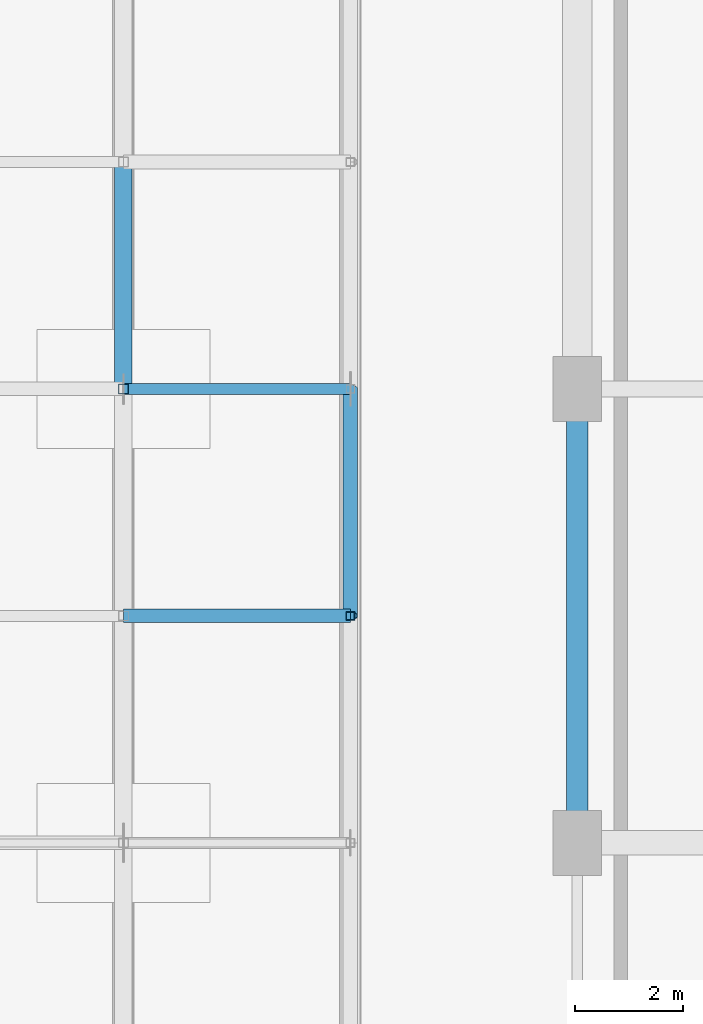
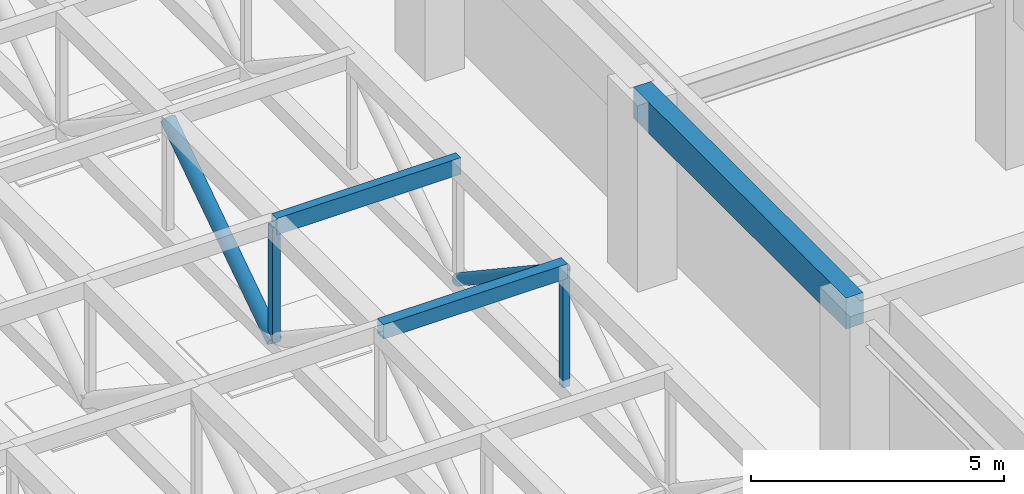
# One storey, part 20 of 47: 6 members, 1 beam.
"""IFC4 building model written with IfcOpenShell, lengths in metres."""

import ifcopenshell
import ifcopenshell.guid

model = None  # the IFC model being written
_history = None  # IfcOwnerHistory: only IFC2X3 demands one
_inside = {}  # id of a spatial element -> (the spatial element, [elements in it])
_under = {}  # id of a project, library or spatial element -> (it, [spatial elements below it])
_declared = {}  # id of a project -> (the project, [libraries it declares])
_typed = {}  # id of a type object -> (the type object, [elements of that type])
_made_of = {}  # id of a material, layer set ... -> (it, [elements and type objects made of it])


def new_model(schema):
    """Start an empty IFC model of exactly this schema.

    Asked for "IFC4X3", IfcOpenShell would pick the latest addendum, in which some entities
    have other attributes; the version numbers below select the first issue.
    IFC2X3 requires an IfcOwnerHistory on every rooted entity: one is made here for all.
    """
    global model, _history
    if schema == "IFC4X3":
        model = ifcopenshell.file(schema_version=(4, 3, 0, 0))
    else:
        model = ifcopenshell.file(schema=schema)
    _inside.clear()
    _under.clear()
    _declared.clear()
    _typed.clear()
    _made_of.clear()
    _history = None
    if model.schema == "IFC2X3":
        org = make("IfcOrganization", Name="unknown")
        user = make(
            "IfcPersonAndOrganization",
            ThePerson=make("IfcPerson", FamilyName="unknown"),
            TheOrganization=org,
        )
        app = make(
            "IfcApplication",
            ApplicationDeveloper=org,
            Version="unknown",
            ApplicationFullName="unknown",
            ApplicationIdentifier="unknown",
        )
        _history = make(
            "IfcOwnerHistory",
            OwningUser=user,
            OwningApplication=app,
            ChangeAction="ADDED",
            CreationDate=0,
        )
    return model


def make(cls, **values):
    """One entity of the class cls with the attributes given. An attribute that is None is left unset."""
    return model.create_entity(
        cls, **{name: value for name, value in values.items() if value is not None}
    )


def rooted(cls, **values):
    """An entity with a GlobalId (a new one), such as an element, a storey or a relation."""
    return make(cls, GlobalId=ifcopenshell.guid.new(), OwnerHistory=_history, **values)


def si_unit(unit_type, name, prefix=None):
    """IfcSIUnit, for example si_unit("LENGTHUNIT", "METRE", prefix="MILLI")."""
    return make("IfcSIUnit", UnitType=unit_type, Prefix=prefix, Name=name)


def assignment(units):
    """IfcUnitAssignment: the units of a project."""
    return None if units is None else make("IfcUnitAssignment", Units=units)


def point(xyz):
    """IfcCartesianPoint."""
    return None if xyz is None else make("IfcCartesianPoint", Coordinates=xyz)


def direction(xyz):
    """IfcDirection."""
    return None if xyz is None else make("IfcDirection", DirectionRatios=xyz)


def frame(location, z_axis=None, x_axis=None):
    """IfcAxis2Placement3D, a coordinate frame: its origin and axes. An axis left out is left unset."""
    return make(
        "IfcAxis2Placement3D",
        Location=point(location),
        Axis=direction(z_axis),
        RefDirection=direction(x_axis),
    )


def frame_2d(location, x_axis=None):
    """IfcAxis2Placement2D, a coordinate frame in the plane: its origin and x axis."""
    return make(
        "IfcAxis2Placement2D", Location=point(location), RefDirection=direction(x_axis)
    )


def origin():
    """The frame at (0, 0, 0) with its axes left unset."""
    return frame((0.0, 0.0, 0.0))


def origin_2d():
    """The frame at (0, 0) in the plane with its x axis left unset."""
    return frame_2d((0.0, 0.0))


def place(relative_to, where):
    """IfcLocalPlacement: puts the frame where relative to a parent placement (None: the world)."""
    return make(
        "IfcLocalPlacement", PlacementRelTo=relative_to, RelativePlacement=where
    )


def context(
    kind, dimensions, precision=None, world=None, true_north=None, identifier=None
):
    """IfcGeometricRepresentationContext, for example the 3D "Model" context."""
    return make(
        "IfcGeometricRepresentationContext",
        ContextIdentifier=identifier,
        ContextType=kind,
        CoordinateSpaceDimension=dimensions,
        Precision=precision,
        WorldCoordinateSystem=world,
        TrueNorth=true_north,
    )


def subcontext(parent, identifier, kind, view, scale=None):
    """IfcGeometricRepresentationSubContext, for example "Body" below "Model"."""
    return make(
        "IfcGeometricRepresentationSubContext",
        ContextIdentifier=identifier,
        ContextType=kind,
        ParentContext=parent,
        TargetScale=scale,
        TargetView=view,
    )


def project(units=None, contexts=None):
    """IfcProject with its units and contexts."""
    return rooted(
        "IfcProject",
        Name="project",
        RepresentationContexts=contexts,
        UnitsInContext=assignment(units),
    )


def spatial(cls, under=None, at=None, **own):
    """A site, building, storey or space (cls), placed at a placement, below another one or the project."""
    s = rooted(cls, ObjectPlacement=at, **own)
    if under is not None:
        _under.setdefault(under.id(), (under, []))[1].append(s)
    return s


def profile(cls, at=None, kind="AREA", **sizes):
    """A parametric profile (cls). Its sizes go by their IFC names, for example OverallWidth=200.0."""
    return make(cls, ProfileType=kind, Position=at, **sizes)


def rectangle(**sizes):
    """IfcRectangleProfileDef."""
    return profile("IfcRectangleProfileDef", **sizes)


def hollow_rectangle(**sizes):
    """IfcRectangleHollowProfileDef."""
    return profile("IfcRectangleHollowProfileDef", **sizes)


def hollow_circle(**sizes):
    """IfcCircleHollowProfileDef."""
    return profile("IfcCircleHollowProfileDef", **sizes)


def extrude(swept, where, along, depth):
    """IfcExtrudedAreaSolid: the profile swept, set in the frame where, extruded along a direction by depth."""
    return make(
        "IfcExtrudedAreaSolid",
        SweptArea=swept,
        Position=where,
        ExtrudedDirection=direction(along),
        Depth=depth,
    )


def shape(context_of_items, identifier, shape_type, items):
    """IfcShapeRepresentation: the items that make up one representation, for example the "Body"."""
    return make(
        "IfcShapeRepresentation",
        ContextOfItems=context_of_items,
        RepresentationIdentifier=identifier,
        RepresentationType=shape_type,
        Items=items,
    )


def material(Name=None, Category=None):
    """IfcMaterial."""
    return make("IfcMaterial", Name=Name, Category=Category)


def material_profile(
    of_material, cross_section, Name=None, Category=None, Priority=None
):
    """IfcMaterialProfile: a cross section and its material."""
    return make(
        "IfcMaterialProfile",
        Name=Name,
        Material=of_material,
        Profile=cross_section,
        Priority=Priority,
        Category=Category,
    )


def profile_set(profiles, Name=None, composite=None):
    """IfcMaterialProfileSet."""
    return make(
        "IfcMaterialProfileSet",
        Name=Name,
        MaterialProfiles=profiles,
        CompositeProfile=composite,
    )


def made_of(thing, what):
    """Note that an element or type object is made of a material, layer set ...; save() writes the relation."""
    if what is not None:
        _made_of.setdefault(what.id(), (what, []))[1].append(thing)
    return thing


def type_object(cls, material=None, **own):
    """A type object (cls), such as IfcWallType, which elements share."""
    return made_of(rooted(cls, **own), material)


def element(
    cls,
    number,
    at=None,
    inside=None,
    cuts=None,
    type_object=None,
    material=None,
    context=None,
    identifier="Body",
    shape_type=None,
    held_by="IfcProductDefinitionShape",
    body=None,
    shapes=None,
    **own,
):
    """One element of the class cls, such as IfcWall. Its Tag is "e" and its number.

    at: its placement. inside: the storey or other place that contains it. cuts: it is an
    opening in that element (IfcRelVoidsElement). A single representation is given by context,
    identifier, shape_type and body (its items); several are given by shapes. held_by: the class
    of the entity that holds the representations. save() writes the other relations.
    """
    e = rooted(cls, Tag="e%d" % number, ObjectPlacement=at, **own)
    if body is not None:
        shapes = [shape(context, identifier, shape_type, body)]
    if shapes is not None:
        e.Representation = make(held_by, Representations=shapes)
    if inside is not None:
        _inside.setdefault(inside.id(), (inside, []))[1].append(e)
    if cuts is not None:
        rooted(
            "IfcRelVoidsElement", RelatingBuildingElement=cuts, RelatedOpeningElement=e
        )
    if type_object is not None:
        _typed.setdefault(type_object.id(), (type_object, []))[1].append(e)
    return made_of(e, material)


def aggregate(whole, parts):
    """IfcRelAggregates: a whole, such as a stair, and the parts it consists of."""
    return rooted("IfcRelAggregates", RelatingObject=whole, RelatedObjects=parts)


def save(model, path):
    """Write the relations noted so far, then the file.

    IfcRelAggregates (storeys below a building ...), IfcRelContainedInSpatialStructure (elements
    in a storey), IfcRelDefinesByType, IfcRelAssociatesMaterial and IfcRelDeclares: one each for
    every whole, place, type object, material and project.
    """
    for whole, parts in _under.values():
        aggregate(whole, parts)
    for where, things in _inside.values():
        rooted(
            "IfcRelContainedInSpatialStructure",
            RelatedElements=things,
            RelatingStructure=where,
        )
    for kind, things in _typed.values():
        rooted("IfcRelDefinesByType", RelatedObjects=things, RelatingType=kind)
    for what, things in _made_of.values():
        rooted("IfcRelAssociatesMaterial", RelatedObjects=things, RelatingMaterial=what)
    for by, libraries in _declared.values():
        rooted("IfcRelDeclares", RelatingContext=by, RelatedDefinitions=libraries)
    model.write(path)


model = new_model("IFC4")

# Units and contexts
model_context = context("Model", 3, precision=1e-05, world=origin(), true_north=direction((0.0, 1.0)))
body_context = subcontext(model_context, "Body", "Model", "MODEL_VIEW")
ifc_project = project(units=[si_unit("LENGTHUNIT", "METRE"), si_unit("AREAUNIT", "SQUARE_METRE"), si_unit("VOLUMEUNIT", "CUBIC_METRE"), si_unit("PLANEANGLEUNIT", "RADIAN"), si_unit("MASSUNIT", "GRAM", prefix="KILO")], contexts=[model_context])

# Site, building, storey
site_placement = place(None, origin())
site = spatial("IfcSite", under=ifc_project, at=site_placement, CompositionType="ELEMENT")
building_placement = place(site_placement, origin())
building = spatial("IfcBuilding", under=site, at=building_placement, Name="Xuanlan Plaza Opera House", CompositionType="ELEMENT")
storey_placement = place(building_placement, frame((0.0, 0.0, 23.39990234375)))
storey = spatial("IfcBuildingStorey", under=building, at=storey_placement, Name="L05", CompositionType="ELEMENT", Elevation=23.39990234375)

# Beam
ifc_material_1 = material(Name="Concrete C40", Category="concrete")
ifc_material_profile_1 = material_profile(ifc_material_1, rectangle(XDim=0.39990234375, YDim=0.75, at=origin_2d()), Name="RC-BM 400x750")
ifc_profile_set_1 = profile_set([ifc_material_profile_1], Name="Concrete C40")
beam_type = type_object("IfcBeamType", Name="STR-BM-B-06", PredefinedType="BEAM", material=ifc_profile_set_1)
beam_placement = place(storey_placement, frame((92.39990234375, 50.39990234375, 4.125), z_axis=(0.0, 1.0, 0.0), x_axis=(-1.0, 0.0, 0.0)))
element("IfcBeam", 1, at=beam_placement, inside=storey, type_object=beam_type, Name="Grid Beam Y L05 12/G-H", PredefinedType="BEAM", context=body_context, shape_type="SweptSolid", body=[
    extrude(rectangle(XDim=0.39990234375, YDim=0.75, at=origin_2d()), origin(), (0.0, 0.0, 1.0), 8.400146484375),
])

# Members
ifc_material_2 = material(Name="Steel Q355B", Category="steel")
ifc_material_profile_2 = material_profile(ifc_material_2, hollow_circle(Radius=0.161865234375, WallThickness=0.013916015625, at=origin_2d()), Name="CHS 323.9x14")
ifc_profile_set_2 = profile_set([ifc_material_profile_2], Name="Steel Q355B")
member_type_1 = type_object("IfcMemberType", Name="STR-MEM-BR-03", PredefinedType="BRACE", material=ifc_profile_set_2)
member_1_placement = place(storey_placement, frame((84.0, 58.800048828125, 1.259033203125), z_axis=(0.0, 0.832042853317, 0.554711357594), x_axis=(-1.0, 0.0, 0.0)))
element("IfcMember", 2, at=member_1_placement, inside=storey, type_object=member_type_1, Name="Auditorium Roof Truss AUD-04 Web Diagonal 5", PredefinedType="BRACE", context=body_context, shape_type="SweptSolid", body=[
    extrude(hollow_circle(Radius=0.161865234375, WallThickness=0.013916015625, at=origin_2d()), origin(), (0.0, 0.0, 1.0), 5.0478515625),
])
ifc_material_profile_3 = material_profile(ifc_material_2, hollow_circle(Radius=0.136474609375, WallThickness=0.011962890625, at=origin_2d()), Name="CHS 273x12")
ifc_profile_set_3 = profile_set([ifc_material_profile_3], Name="Steel Q355B")
member_type_2 = type_object("IfcMemberType", Name="STR-MEM-BR-04", PredefinedType="BRACE", material=ifc_profile_set_3)
member_2_placement = place(storey_placement, frame((88.199951171875, 54.60009765625, 4.05908203125), z_axis=(0.0, 0.832042853317, -0.554711357594), x_axis=(-1.0, 0.0, 0.0)))
element("IfcMember", 3, at=member_2_placement, inside=storey, type_object=member_type_2, Name="Auditorium Roof Truss AUD-05 Web Diagonal 4", PredefinedType="BRACE", context=body_context, shape_type="SweptSolid", body=[
    extrude(hollow_circle(Radius=0.136474609375, WallThickness=0.011962890625, at=origin_2d()), origin(), (0.0, 0.0, 1.0), 5.0478515625),
])
ifc_material_profile_4 = material_profile(ifc_material_2, hollow_rectangle(XDim=0.25, YDim=0.35009765625, WallThickness=0.011962890625, at=origin_2d()), Name="RHS 350x250x12")
ifc_profile_set_4 = profile_set([ifc_material_profile_4], Name="Steel Q355B")
member_type_3 = type_object("IfcMemberType", Name="STR-MEM-PR-03", PredefinedType="PURLIN", material=ifc_profile_set_4)
member_3_placement = place(storey_placement, frame((84.0, 54.60009765625, 4.083984375), z_axis=(1.0, 0.0, 0.0), x_axis=(0.0, 1.0, 0.0)))
element("IfcMember", 4, at=member_3_placement, inside=storey, type_object=member_type_3, Name="Auditorium Shell Roof Purlin 4-4", PredefinedType="PURLIN", context=body_context, shape_type="SweptSolid", body=[
    extrude(hollow_rectangle(XDim=0.25, YDim=0.35009765625, WallThickness=0.011962890625, at=origin_2d()), origin(), (0.0, 0.0, 1.0), 4.199951171875),
])
ifc_material_profile_5 = material_profile(ifc_material_2, hollow_rectangle(XDim=0.199951171875, YDim=0.39990234375, WallThickness=0.013916015625, at=origin_2d()), Name="RHS 400x200x14")
ifc_profile_set_5 = profile_set([ifc_material_profile_5], Name="Steel Q355B")
member_type_4 = type_object("IfcMemberType", Name="STR-MEM-PR-04", PredefinedType="PURLIN", material=ifc_profile_set_5)
member_4_placement = place(storey_placement, frame((84.0, 58.800048828125, 4.05908203125), z_axis=(1.0, 0.0, 0.0), x_axis=(0.0, 1.0, 0.0)))
element("IfcMember", 5, at=member_4_placement, inside=storey, type_object=member_type_4, Name="Auditorium Shell Roof Purlin 4-5", PredefinedType="PURLIN", context=body_context, shape_type="SweptSolid", body=[
    extrude(hollow_rectangle(XDim=0.199951171875, YDim=0.39990234375, WallThickness=0.013916015625, at=origin_2d()), origin(), (0.0, 0.0, 1.0), 4.199951171875),
])
ifc_material_profile_6 = material_profile(ifc_material_2, hollow_rectangle(XDim=0.179931640625, YDim=0.179931640625, WallThickness=0.010009765625, at=origin_2d()), Name="SHS 180x180x10")
ifc_profile_set_6 = profile_set([ifc_material_profile_6], Name="Steel Q355B")
member_type_5 = type_object("IfcMemberType", Name="STR-MEM-ST-M2", PredefinedType="STRUT", material=ifc_profile_set_6)
member_5_placement = place(storey_placement, frame((84.0, 58.800048828125, 1.259033203125), z_axis=(0.0, 0.0, 1.0), x_axis=(1.0, 0.0, 0.0)))
element("IfcMember", 6, at=member_5_placement, inside=storey, type_object=member_type_5, Name="Auditorium Roof Truss AUD-04 Vertical Strut 4", PredefinedType="STRUT", context=body_context, shape_type="SweptSolid", body=[
    extrude(hollow_rectangle(XDim=0.179931640625, YDim=0.179931640625, WallThickness=0.010009765625, at=origin_2d()), origin(), (0.0, 0.0, 1.0), 2.800048828125),
])
ifc_material_profile_7 = material_profile(ifc_material_2, hollow_rectangle(XDim=0.159912109375, YDim=0.159912109375, WallThickness=0.008056640625, at=origin_2d()), Name="SHS 160x160x8")
ifc_profile_set_7 = profile_set([ifc_material_profile_7], Name="Steel Q355B")
member_type_6 = type_object("IfcMemberType", Name="STR-MEM-ST-M3", PredefinedType="STRUT", material=ifc_profile_set_7)
member_6_placement = place(storey_placement, frame((88.199951171875, 54.60009765625, 1.259033203125), z_axis=(0.0, 0.0, 1.0), x_axis=(1.0, 0.0, 0.0)))
element("IfcMember", 7, at=member_6_placement, inside=storey, type_object=member_type_6, Name="Auditorium Roof Truss AUD-05 Vertical Strut 3", PredefinedType="STRUT", context=body_context, shape_type="SweptSolid", body=[
    extrude(hollow_rectangle(XDim=0.159912109375, YDim=0.159912109375, WallThickness=0.008056640625, at=origin_2d()), origin(), (0.0, 0.0, 1.0), 2.800048828125),
])

save(model, "model.ifc")
